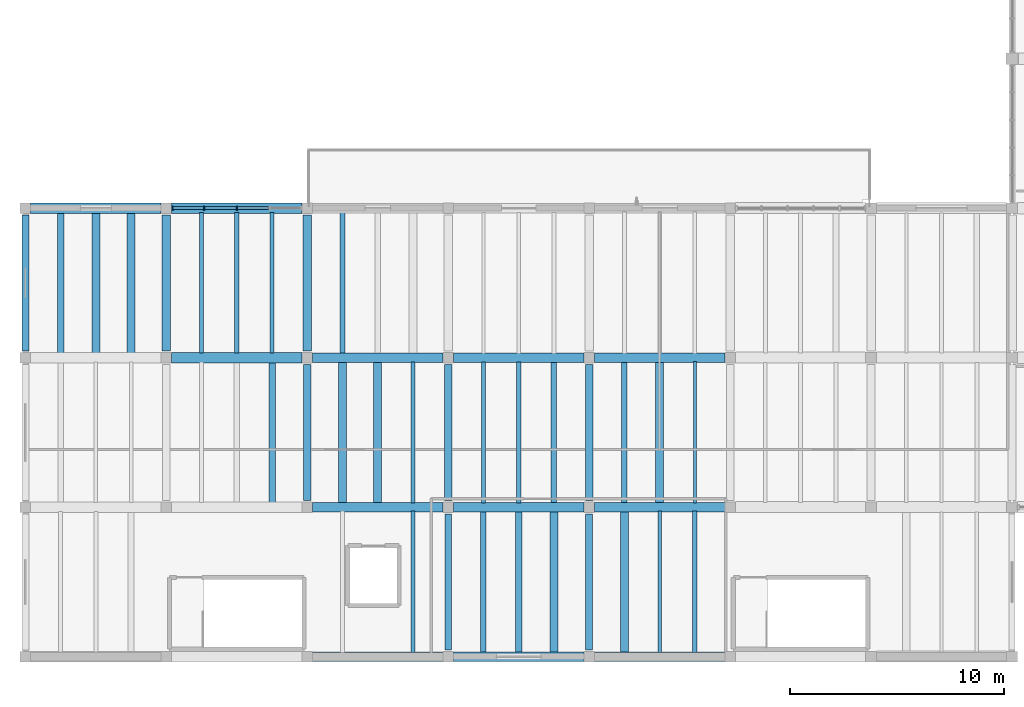
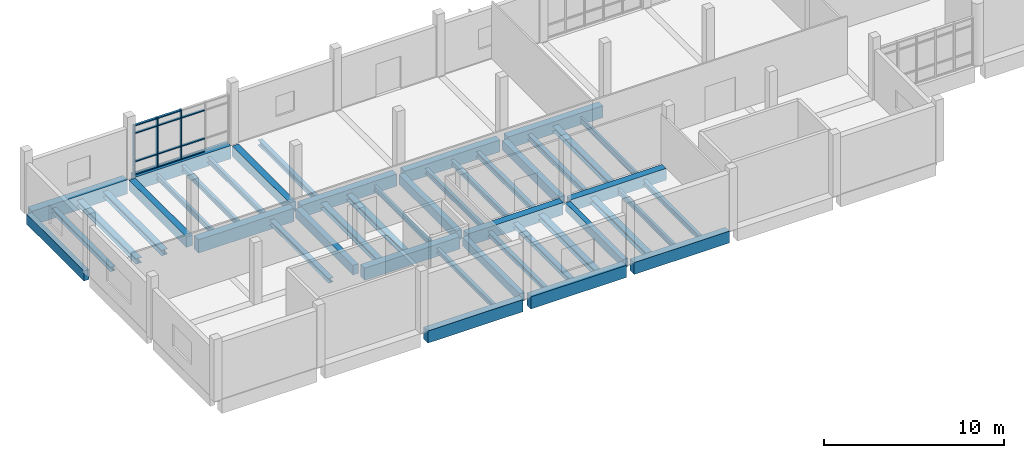
# One storey, part 2 of 65: 44 beams, 14 members, 1 element without a shape of its own.
"""IFC4 building model written with IfcOpenShell, lengths in metres."""

from ifc_helpers import new_model, si_unit, direction, frame, origin, origin_2d, place, context, subcontext, project, spatial, rectangle, i_section, extrude, material, material_profile, profile_set, type_object, element, aggregate, save


model = new_model("IFC4")

# Units and contexts
model_context = context("Model", 3, precision=1e-05, world=origin(), true_north=direction((0.0, 1.0)))
body_context = subcontext(model_context, "Body", "Model", "MODEL_VIEW")
ifc_project = project(units=[si_unit("LENGTHUNIT", "METRE"), si_unit("AREAUNIT", "SQUARE_METRE"), si_unit("VOLUMEUNIT", "CUBIC_METRE"), si_unit("PLANEANGLEUNIT", "RADIAN"), si_unit("MASSUNIT", "GRAM", prefix="KILO")], contexts=[model_context])

# Site, building, storey
site_placement = place(None, origin())
site = spatial("IfcSite", under=ifc_project, at=site_placement, CompositionType="ELEMENT")
building_placement = place(site_placement, origin())
building = spatial("IfcBuilding", under=site, at=building_placement, Name="Ciguamira Faculty of Natural Sciences", CompositionType="ELEMENT")
storey_placement = place(building_placement, frame((0.0, 0.0, 12.60009765625)))
storey = spatial("IfcBuildingStorey", under=building, at=storey_placement, Name="L03", CompositionType="ELEMENT", Elevation=12.60009765625)

# Curtain wall, members
ifc_material_1 = material(Name="Anodized aluminium curtain wall", Category="aluminium")
curtain_wall_type = type_object("IfcCurtainWallType", Name="CurtainWall_CW-11", PredefinedType="USERDEFINED", material=ifc_material_1)
curtain_wall_placement = place(storey_placement, origin())
curtain_wall = element("IfcCurtainWall", 1, at=curtain_wall_placement, inside=storey, type_object=curtain_wall_type, Name="L03 unitised curtain wall 0083", ObjectType="UNITISED CURTAIN WALL", PredefinedType="USERDEFINED")
ifc_material_2 = material(Name="Anodized aluminium mullion", Category="aluminium")
ifc_material_profile_1 = material_profile(ifc_material_2, rectangle(XDim=0.070068359375, YDim=0.179931640625, at=origin_2d()), Name="ALU-MUL-70X180")
ifc_profile_set_1 = profile_set([ifc_material_profile_1], Name="Anodized aluminium mullion")
member_type_1 = type_object("IfcMemberType", Name="CWMullion_CWM-02", PredefinedType="MULLION", material=ifc_profile_set_1)
member_1_placement = place(storey_placement, frame((11.385009765625, 24.0, 0.0), z_axis=(0.0, 0.0, 1.0), x_axis=(1.0, 0.0, 0.0)))
member_1 = element("IfcMember", 2, at=member_1_placement, type_object=member_type_1, Name="CW-11 mullion 1", PredefinedType="MULLION", context=body_context, shape_type="SweptSolid", body=[
    extrude(rectangle(XDim=0.070068359375, YDim=0.179931640625, at=origin_2d()), origin(), (0.0, 0.0, 1.0), 3.364990234375),
])
member_2_placement = place(storey_placement, frame((12.875, 24.0, 0.0), z_axis=(0.0, 0.0, 1.0), x_axis=(1.0, 0.0, 0.0)))
member_2 = element("IfcMember", 3, at=member_2_placement, type_object=member_type_1, Name="CW-11 mullion 2", PredefinedType="MULLION", context=body_context, shape_type="SweptSolid", body=[
    extrude(rectangle(XDim=0.070068359375, YDim=0.179931640625, at=origin_2d()), origin(), (0.0, 0.0, 1.0), 3.364990234375),
])
member_3_placement = place(storey_placement, frame((14.39990234375, 24.0, 0.0), z_axis=(0.0, 0.0, 1.0), x_axis=(1.0, 0.0, 0.0)))
member_3 = element("IfcMember", 4, at=member_3_placement, type_object=member_type_1, Name="CW-11 mullion 3", PredefinedType="MULLION", context=body_context, shape_type="SweptSolid", body=[
    extrude(rectangle(XDim=0.070068359375, YDim=0.179931640625, at=origin_2d()), origin(), (0.0, 0.0, 1.0), 3.364990234375),
])
ifc_material_3 = material(Name="Anodized aluminium transom", Category="aluminium")
ifc_material_profile_2 = material_profile(ifc_material_3, rectangle(XDim=0.070068359375, YDim=0.139892578125, at=origin_2d()), Name="ALU-TRN-70X140")
ifc_profile_set_2 = profile_set([ifc_material_profile_2], Name="Anodized aluminium transom")
member_type_2 = type_object("IfcMemberType", Name="CWTransom_CWT-02", PredefinedType="USERDEFINED", material=ifc_profile_set_2)
member_4_placement = place(storey_placement, frame((11.419921875, 24.0, 0.034912109375), z_axis=(1.0, 0.0, 0.0), x_axis=(0.0, 0.0, 1.0)))
member_4 = element("IfcMember", 5, at=member_4_placement, type_object=member_type_2, Name="CW-11 transom 1.1", ObjectType="TRANSOM", PredefinedType="USERDEFINED", context=body_context, shape_type="SweptSolid", body=[
    extrude(rectangle(XDim=0.070068359375, YDim=0.139892578125, at=origin_2d()), origin(), (0.0, 0.0, 1.0), 1.420166015625),
])
member_5_placement = place(storey_placement, frame((11.419921875, 24.0, 0.89990234375), z_axis=(1.0, 0.0, 0.0), x_axis=(0.0, 0.0, 1.0)))
member_5 = element("IfcMember", 6, at=member_5_placement, type_object=member_type_2, Name="CW-11 transom 1.2", ObjectType="TRANSOM", PredefinedType="USERDEFINED", context=body_context, shape_type="SweptSolid", body=[
    extrude(rectangle(XDim=0.070068359375, YDim=0.139892578125, at=origin_2d()), origin(), (0.0, 0.0, 1.0), 1.420166015625),
])
member_6_placement = place(storey_placement, frame((11.419921875, 24.0, 2.81494140625), z_axis=(1.0, 0.0, 0.0), x_axis=(0.0, 0.0, 1.0)))
member_6 = element("IfcMember", 7, at=member_6_placement, type_object=member_type_2, Name="CW-11 transom 1.3", ObjectType="TRANSOM", PredefinedType="USERDEFINED", context=body_context, shape_type="SweptSolid", body=[
    extrude(rectangle(XDim=0.070068359375, YDim=0.139892578125, at=origin_2d()), origin(), (0.0, 0.0, 1.0), 1.420166015625),
])
member_7_placement = place(storey_placement, frame((11.419921875, 24.0, 3.329833984375), z_axis=(1.0, 0.0, 0.0), x_axis=(0.0, 0.0, 1.0)))
member_7 = element("IfcMember", 8, at=member_7_placement, type_object=member_type_2, Name="CW-11 transom 1.4", ObjectType="TRANSOM", PredefinedType="USERDEFINED", context=body_context, shape_type="SweptSolid", body=[
    extrude(rectangle(XDim=0.070068359375, YDim=0.139892578125, at=origin_2d()), origin(), (0.0, 0.0, 1.0), 1.420166015625),
])
member_8_placement = place(storey_placement, frame((12.909912109375, 24.0, 0.034912109375), z_axis=(1.0, 0.0, 0.0), x_axis=(0.0, 0.0, 1.0)))
member_8 = element("IfcMember", 9, at=member_8_placement, type_object=member_type_2, Name="CW-11 transom 2.1", ObjectType="TRANSOM", PredefinedType="USERDEFINED", context=body_context, shape_type="SweptSolid", body=[
    extrude(rectangle(XDim=0.070068359375, YDim=0.139892578125, at=origin_2d()), origin(), (0.0, 0.0, 1.0), 1.455078125),
])
member_9_placement = place(storey_placement, frame((12.909912109375, 24.0, 0.89990234375), z_axis=(1.0, 0.0, 0.0), x_axis=(0.0, 0.0, 1.0)))
member_9 = element("IfcMember", 10, at=member_9_placement, type_object=member_type_2, Name="CW-11 transom 2.2", ObjectType="TRANSOM", PredefinedType="USERDEFINED", context=body_context, shape_type="SweptSolid", body=[
    extrude(rectangle(XDim=0.070068359375, YDim=0.139892578125, at=origin_2d()), origin(), (0.0, 0.0, 1.0), 1.455078125),
])
member_10_placement = place(storey_placement, frame((12.909912109375, 24.0, 2.81494140625), z_axis=(1.0, 0.0, 0.0), x_axis=(0.0, 0.0, 1.0)))
member_10 = element("IfcMember", 11, at=member_10_placement, type_object=member_type_2, Name="CW-11 transom 2.3", ObjectType="TRANSOM", PredefinedType="USERDEFINED", context=body_context, shape_type="SweptSolid", body=[
    extrude(rectangle(XDim=0.070068359375, YDim=0.139892578125, at=origin_2d()), origin(), (0.0, 0.0, 1.0), 1.455078125),
])
member_11_placement = place(storey_placement, frame((12.909912109375, 24.0, 3.329833984375), z_axis=(1.0, 0.0, 0.0), x_axis=(0.0, 0.0, 1.0)))
member_11 = element("IfcMember", 12, at=member_11_placement, type_object=member_type_2, Name="CW-11 transom 2.4", ObjectType="TRANSOM", PredefinedType="USERDEFINED", context=body_context, shape_type="SweptSolid", body=[
    extrude(rectangle(XDim=0.070068359375, YDim=0.139892578125, at=origin_2d()), origin(), (0.0, 0.0, 1.0), 1.455078125),
])
member_12_placement = place(storey_placement, frame((14.43505859375, 24.0, 0.034912109375), z_axis=(1.0, 0.0, 0.0), x_axis=(0.0, 0.0, 1.0)))
member_12 = element("IfcMember", 13, at=member_12_placement, type_object=member_type_2, Name="CW-11 transom 3.1", ObjectType="TRANSOM", PredefinedType="USERDEFINED", context=body_context, shape_type="SweptSolid", body=[
    extrude(rectangle(XDim=0.070068359375, YDim=0.139892578125, at=origin_2d()), origin(), (0.0, 0.0, 1.0), 1.454833984375),
])
member_13_placement = place(storey_placement, frame((14.43505859375, 24.0, 0.89990234375), z_axis=(1.0, 0.0, 0.0), x_axis=(0.0, 0.0, 1.0)))
member_13 = element("IfcMember", 14, at=member_13_placement, type_object=member_type_2, Name="CW-11 transom 3.2", ObjectType="TRANSOM", PredefinedType="USERDEFINED", context=body_context, shape_type="SweptSolid", body=[
    extrude(rectangle(XDim=0.070068359375, YDim=0.139892578125, at=origin_2d()), origin(), (0.0, 0.0, 1.0), 1.454833984375),
])
member_14_placement = place(storey_placement, frame((14.43505859375, 24.0, 2.81494140625), z_axis=(1.0, 0.0, 0.0), x_axis=(0.0, 0.0, 1.0)))
member_14 = element("IfcMember", 15, at=member_14_placement, type_object=member_type_2, Name="CW-11 transom 3.3", ObjectType="TRANSOM", PredefinedType="USERDEFINED", context=body_context, shape_type="SweptSolid", body=[
    extrude(rectangle(XDim=0.070068359375, YDim=0.139892578125, at=origin_2d()), origin(), (0.0, 0.0, 1.0), 1.454833984375),
])
aggregate(curtain_wall, [member_1, member_2, member_3, member_4, member_5, member_6, member_7, member_8, member_9, member_10, member_11, member_12, member_13, member_14])

# Beams
ifc_material_4 = material(Name="Concrete C40/50", Category="concrete")
ifc_material_profile_3 = material_profile(ifc_material_4, rectangle(XDim=0.5, YDim=0.949951171875, at=origin_2d()), Name="RC-BM-500X950")
ifc_profile_set_3 = profile_set([ifc_material_profile_3], Name="Concrete C40/50")
beam_type_1 = type_object("IfcBeamType", Name="RCBeam_BG-02_RC-BM-500X950", PredefinedType="BEAM", material=ifc_profile_set_3)
beam_1_placement = place(storey_placement, frame((4.75, 24.0, -0.47509765625), z_axis=(1.0, 0.0, 0.0), x_axis=(0.0, 1.0, 0.0)))
element("IfcBeam", 16, at=beam_1_placement, inside=storey, type_object=beam_type_1, Name="L03 RC girder EW-1056", PredefinedType="BEAM", context=body_context, shape_type="SweptSolid", body=[
    extrude(rectangle(XDim=0.5, YDim=0.949951171875, at=origin_2d()), origin(), (0.0, 0.0, 1.0), 6.10009765625),
])
ifc_material_profile_4 = material_profile(ifc_material_4, rectangle(XDim=0.5, YDim=0.89990234375, at=origin_2d()), Name="RC-BM-500X900")
ifc_profile_set_4 = profile_set([ifc_material_profile_4], Name="Concrete C40/50")
beam_type_2 = type_object("IfcBeamType", Name="RCBeam_BG-03_RC-BM-500X900", PredefinedType="BEAM", material=ifc_profile_set_4)
for number, where, z_axis, x_axis, name in (
    (17, (11.35009765625, 17.0, -0.4501953125), (1.0, 0.0, 0.0), (0.0, 1.0, 0.0), "L03 RC girder EW-1039"),
    (18, (11.35009765625, 24.0, -0.4501953125), (1.0, 0.0, 0.0), (0.0, 1.0, 0.0), "L03 RC girder EW-1057"),
):
    element("IfcBeam", number, at=place(storey_placement, frame(where, z_axis=z_axis, x_axis=x_axis)), inside=storey, type_object=beam_type_2, Name=name, PredefinedType="BEAM", context=body_context, shape_type="SweptSolid", body=[
        extrude(rectangle(XDim=0.5, YDim=0.89990234375, at=origin_2d()), origin(), (0.0, 0.0, 1.0), 6.099853515625),
    ])
ifc_material_profile_5 = material_profile(ifc_material_4, rectangle(XDim=0.4599609375, YDim=0.820068359375, at=origin_2d()), Name="RC-BM-460X820")
ifc_profile_set_5 = profile_set([ifc_material_profile_5], Name="Concrete C40/50")
beam_type_3 = type_object("IfcBeamType", Name="RCBeam_BG-04_RC-BM-460X820", PredefinedType="BEAM", material=ifc_profile_set_5)
beam_2_placement = place(storey_placement, frame((17.949951171875, 3.0, -0.41015625), z_axis=(1.0, 0.0, 0.0), x_axis=(0.0, 1.0, 0.0)))
element("IfcBeam", 19, at=beam_2_placement, inside=storey, type_object=beam_type_3, Name="L03 RC girder EW-1015", PredefinedType="BEAM", context=body_context, shape_type="SweptSolid", body=[
    extrude(rectangle(XDim=0.4599609375, YDim=0.820068359375, at=origin_2d()), origin(), (0.0, 0.0, 1.0), 6.10009765625),
])
beam_3_placement = place(storey_placement, frame((24.550048828125, 3.0, -0.41015625), z_axis=(1.0, 0.0, 0.0), x_axis=(0.0, 1.0, 0.0)))
element("IfcBeam", 20, at=beam_3_placement, inside=storey, type_object=beam_type_3, Name="L03 RC girder EW-1016", PredefinedType="BEAM", context=body_context, shape_type="SweptSolid", body=[
    extrude(rectangle(XDim=0.4599609375, YDim=0.820068359375, at=origin_2d()), origin(), (0.0, 0.0, 1.0), 6.099853515625),
])
beam_4_placement = place(storey_placement, frame((17.949951171875, 10.0, -0.41015625), z_axis=(1.0, 0.0, 0.0), x_axis=(0.0, 1.0, 0.0)))
element("IfcBeam", 21, at=beam_4_placement, inside=storey, type_object=beam_type_3, Name="L03 RC girder EW-1022", PredefinedType="BEAM", context=body_context, shape_type="SweptSolid", body=[
    extrude(rectangle(XDim=0.4599609375, YDim=0.820068359375, at=origin_2d()), origin(), (0.0, 0.0, 1.0), 6.10009765625),
])
beam_5_placement = place(storey_placement, frame((24.550048828125, 10.0, -0.41015625), z_axis=(1.0, 0.0, 0.0), x_axis=(0.0, 1.0, 0.0)))
element("IfcBeam", 22, at=beam_5_placement, inside=storey, type_object=beam_type_3, Name="L03 RC girder EW-1023", PredefinedType="BEAM", context=body_context, shape_type="SweptSolid", body=[
    extrude(rectangle(XDim=0.4599609375, YDim=0.820068359375, at=origin_2d()), origin(), (0.0, 0.0, 1.0), 6.099853515625),
])
beam_6_placement = place(storey_placement, frame((17.949951171875, 17.0, -0.41015625), z_axis=(1.0, 0.0, 0.0), x_axis=(0.0, 1.0, 0.0)))
element("IfcBeam", 23, at=beam_6_placement, inside=storey, type_object=beam_type_3, Name="L03 RC girder EW-1040", PredefinedType="BEAM", context=body_context, shape_type="SweptSolid", body=[
    extrude(rectangle(XDim=0.4599609375, YDim=0.820068359375, at=origin_2d()), origin(), (0.0, 0.0, 1.0), 6.10009765625),
])
beam_7_placement = place(storey_placement, frame((24.550048828125, 17.0, -0.41015625), z_axis=(1.0, 0.0, 0.0), x_axis=(0.0, 1.0, 0.0)))
element("IfcBeam", 24, at=beam_7_placement, inside=storey, type_object=beam_type_3, Name="L03 RC girder EW-1041", PredefinedType="BEAM", context=body_context, shape_type="SweptSolid", body=[
    extrude(rectangle(XDim=0.4599609375, YDim=0.820068359375, at=origin_2d()), origin(), (0.0, 0.0, 1.0), 6.099853515625),
])
ifc_material_profile_6 = material_profile(ifc_material_4, rectangle(XDim=0.449951171875, YDim=0.800048828125, at=origin_2d()), Name="RC-BM-450X800")
ifc_profile_set_6 = profile_set([ifc_material_profile_6], Name="Concrete C40/50")
beam_type_4 = type_object("IfcBeamType", Name="RCBeam_BG-05_RC-BM-450X800", PredefinedType="BEAM", material=ifc_profile_set_6)
for number, where, z_axis, x_axis, name in (
    (25, (31.14990234375, 3.0, -0.400146484375), (1.0, 0.0, 0.0), (0.0, 1.0, 0.0), "L03 RC girder EW-1017"),
    (26, (31.14990234375, 10.0, -0.400146484375), (1.0, 0.0, 0.0), (0.0, 1.0, 0.0), "L03 RC girder EW-1024"),
    (27, (31.14990234375, 17.0, -0.400146484375), (1.0, 0.0, 0.0), (0.0, 1.0, 0.0), "L03 RC girder EW-1042"),
):
    element("IfcBeam", number, at=place(storey_placement, frame(where, z_axis=z_axis, x_axis=x_axis)), inside=storey, type_object=beam_type_4, Name=name, PredefinedType="BEAM", context=body_context, shape_type="SweptSolid", body=[
        extrude(rectangle(XDim=0.449951171875, YDim=0.800048828125, at=origin_2d()), origin(), (0.0, 0.0, 1.0), 6.10009765625),
    ])
ifc_material_profile_7 = material_profile(ifc_material_4, rectangle(XDim=0.39990234375, YDim=0.699951171875, at=origin_2d()), Name="RC-BM-400X700")
ifc_profile_set_7 = profile_set([ifc_material_profile_7], Name="Concrete C40/50")
beam_type_5 = type_object("IfcBeamType", Name="RCBeam_BG-08_RC-BM-400X700", PredefinedType="BEAM", material=ifc_profile_set_7)
for number, where, z_axis, x_axis, name in (
    (28, (11.10009765625, 17.324951171875, -0.35009765625), (0.0, 1.0, 0.0), (-1.0, 0.0, 0.0), "L03 girder NS-1187"),
    (29, (17.699951171875, 17.324951171875, -0.35009765625), (0.0, 1.0, 0.0), (-1.0, 0.0, 0.0), "L03 girder NS-1189"),
):
    element("IfcBeam", number, at=place(storey_placement, frame(where, z_axis=z_axis, x_axis=x_axis)), inside=storey, type_object=beam_type_5, Name=name, PredefinedType="BEAM", context=body_context, shape_type="SweptSolid", body=[
        extrude(rectangle(XDim=0.39990234375, YDim=0.699951171875, at=origin_2d()), origin(), (0.0, 0.0, 1.0), 6.35009765625),
    ])
ifc_material_profile_8 = material_profile(ifc_material_4, rectangle(XDim=0.360107421875, YDim=0.639892578125, at=origin_2d()), Name="RC-BM-360X640")
ifc_profile_set_8 = profile_set([ifc_material_profile_8], Name="Concrete C40/50")
beam_type_6 = type_object("IfcBeamType", Name="RCBeam_BG-10_RC-BM-360X640", PredefinedType="BEAM", material=ifc_profile_set_8)
for number, where, z_axis, x_axis, name in (
    (30, (17.699951171875, 10.324951171875, -0.320068359375), (0.0, 1.0, 0.0), (-1.0, 0.0, 0.0), "L03 girder NS-1188"),
    (31, (24.300048828125, 10.324951171875, -0.320068359375), (0.0, 1.0, 0.0), (-1.0, 0.0, 0.0), "L03 girder NS-1191"),
    (32, (30.89990234375, 10.324951171875, -0.320068359375), (0.0, 1.0, 0.0), (-1.0, 0.0, 0.0), "L03 girder NS-1194"),
):
    element("IfcBeam", number, at=place(storey_placement, frame(where, z_axis=z_axis, x_axis=x_axis)), inside=storey, type_object=beam_type_6, Name=name, PredefinedType="BEAM", context=body_context, shape_type="SweptSolid", body=[
        extrude(rectangle(XDim=0.360107421875, YDim=0.639892578125, at=origin_2d()), origin(), (0.0, 0.0, 1.0), 6.35009765625),
    ])
ifc_material_profile_9 = material_profile(ifc_material_4, rectangle(XDim=0.320068359375, YDim=0.56005859375, at=origin_2d()), Name="RC-BM-320X560")
ifc_profile_set_9 = profile_set([ifc_material_profile_9], Name="Concrete C40/50")
beam_type_7 = type_object("IfcBeamType", Name="RCBeam_BG-12_RC-BM-320X560", PredefinedType="BEAM", material=ifc_profile_set_9)
for number, where, z_axis, x_axis, name in (
    (33, (24.300048828125, 3.324951171875, -0.280029296875), (0.0, 1.0, 0.0), (-1.0, 0.0, 0.0), "L03 girder NS-1190"),
    (34, (30.89990234375, 3.324951171875, -0.280029296875), (0.0, 1.0, 0.0), (-1.0, 0.0, 0.0), "L03 girder NS-1193"),
):
    element("IfcBeam", number, at=place(storey_placement, frame(where, z_axis=z_axis, x_axis=x_axis)), inside=storey, type_object=beam_type_7, Name=name, PredefinedType="BEAM", context=body_context, shape_type="SweptSolid", body=[
        extrude(rectangle(XDim=0.320068359375, YDim=0.56005859375, at=origin_2d()), origin(), (0.0, 0.0, 1.0), 6.35009765625),
    ])
ifc_material_5 = material(Name="Precast concrete C40/50", Category="concrete")
ifc_material_profile_10 = material_profile(ifc_material_5, rectangle(XDim=0.320068359375, YDim=0.679931640625, at=origin_2d()), Name="RC-SP-320X680")
ifc_profile_set_10 = profile_set([ifc_material_profile_10], Name="Precast concrete C40/50")
beam_type_8 = type_object("IfcBeamType", Name="RCBeam_SP-02_RC-SP-320X680", PredefinedType="SPANDREL", material=ifc_profile_set_10)
beam_8_placement = place(storey_placement, frame((4.5, 17.324951171875, -0.340087890625), z_axis=(0.0, 1.0, 0.0), x_axis=(-1.0, 0.0, 0.0)))
element("IfcBeam", 35, at=beam_8_placement, inside=storey, type_object=beam_type_8, Name="L03 girder NS-1185", PredefinedType="SPANDREL", context=body_context, shape_type="SweptSolid", body=[
    extrude(rectangle(XDim=0.320068359375, YDim=0.679931640625, at=origin_2d()), origin(), (0.0, 0.0, 1.0), 6.35009765625),
])
ifc_material_6 = material(Name="Steel ASTM A992 Grade 50", Category="steel")
ifc_material_profile_11 = material_profile(ifc_material_6, i_section(OverallWidth=0.20458984375, OverallDepth=0.307373046875, WebThickness=0.008544921875, FlangeThickness=0.0146484375, at=origin_2d()), Name="W12X45")
ifc_profile_set_11 = profile_set([ifc_material_profile_11], Name="Steel ASTM A992 Grade 50")
beam_type_9 = type_object("IfcBeamType", Name="SteelJoist_SJ-06_W12X45", PredefinedType="JOIST", material=ifc_profile_set_11)
beam_9_placement = place(storey_placement, frame((22.64990234375, 3.18994140625, -0.413818359375), z_axis=(0.0, 1.0, 0.0), x_axis=(-1.0, 0.0, 0.0)))
element("IfcBeam", 36, at=beam_9_placement, inside=storey, type_object=beam_type_9, Name="L03 composite steel joist 00973", PredefinedType="JOIST", context=body_context, shape_type="SweptSolid", body=[
    extrude(i_section(OverallWidth=0.20458984375, OverallDepth=0.307373046875, WebThickness=0.008544921875, FlangeThickness=0.0146484375, at=origin_2d()), origin(), (0.0, 0.0, 1.0), 6.6201171875),
])
ifc_material_profile_12 = material_profile(ifc_material_6, i_section(OverallWidth=0.25390625, OverallDepth=0.307373046875, WebThickness=0.0087890625, FlangeThickness=0.0146484375, at=origin_2d()), Name="W12X53")
ifc_profile_set_12 = profile_set([ifc_material_profile_12], Name="Steel ASTM A992 Grade 50")
beam_type_10 = type_object("IfcBeamType", Name="SteelJoist_SJ-07_W12X53", PredefinedType="JOIST", material=ifc_profile_set_12)
beam_10_placement = place(storey_placement, frame((25.949951171875, 3.18994140625, -0.413818359375), z_axis=(0.0, 1.0, 0.0), x_axis=(-1.0, 0.0, 0.0)))
element("IfcBeam", 37, at=beam_10_placement, inside=storey, type_object=beam_type_10, Name="L03 composite steel joist 00980", PredefinedType="JOIST", context=body_context, shape_type="SweptSolid", body=[
    extrude(i_section(OverallWidth=0.25390625, OverallDepth=0.307373046875, WebThickness=0.0087890625, FlangeThickness=0.0146484375, at=origin_2d()), origin(), (0.0, 0.0, 1.0), 6.6201171875),
])
ifc_material_profile_13 = material_profile(ifc_material_6, i_section(OverallWidth=0.3046875, OverallDepth=0.307373046875, WebThickness=0.010009765625, FlangeThickness=0.015380859375, at=origin_2d()), Name="W12X65")
ifc_profile_set_13 = profile_set([ifc_material_profile_13], Name="Steel ASTM A992 Grade 50")
beam_type_11 = type_object("IfcBeamType", Name="SteelJoist_SJ-08_W12X65", PredefinedType="JOIST", material=ifc_profile_set_13)
for number, where, z_axis, x_axis, name in (
    (38, (6.14990234375, 17.2099609375, -0.413818359375), (0.0, 1.0, 0.0), (-1.0, 0.0, 0.0), "L03 composite steel joist 00963"),
    (39, (16.050048828125, 10.2099609375, -0.413818359375), (0.0, 1.0, 0.0), (-1.0, 0.0, 0.0), "L03 composite steel joist 00968"),
):
    element("IfcBeam", number, at=place(storey_placement, frame(where, z_axis=z_axis, x_axis=x_axis)), inside=storey, type_object=beam_type_11, Name=name, PredefinedType="JOIST", context=body_context, shape_type="SweptSolid", body=[
        extrude(i_section(OverallWidth=0.3046875, OverallDepth=0.307373046875, WebThickness=0.010009765625, FlangeThickness=0.015380859375, at=origin_2d()), origin(), (0.0, 0.0, 1.0), 6.580078125),
    ])
beam_11_placement = place(storey_placement, frame((27.60009765625, 3.18994140625, -0.413818359375), z_axis=(0.0, 1.0, 0.0), x_axis=(-1.0, 0.0, 0.0)))
element("IfcBeam", 40, at=beam_11_placement, inside=storey, type_object=beam_type_11, Name="L03 composite steel joist 00981", PredefinedType="JOIST", context=body_context, shape_type="SweptSolid", body=[
    extrude(i_section(OverallWidth=0.3046875, OverallDepth=0.307373046875, WebThickness=0.010009765625, FlangeThickness=0.015380859375, at=origin_2d()), origin(), (0.0, 0.0, 1.0), 6.6201171875),
])
ifc_material_profile_14 = material_profile(ifc_material_6, i_section(OverallWidth=0.370849609375, OverallDepth=0.36328125, WebThickness=0.013427734375, FlangeThickness=0.021728515625, at=origin_2d()), Name="W14X109")
ifc_profile_set_14 = profile_set([ifc_material_profile_14], Name="Steel ASTM A992 Grade 50")
beam_type_12 = type_object("IfcBeamType", Name="SteelJoist_SJ-09_W14X109", PredefinedType="JOIST", material=ifc_profile_set_14)
beam_12_placement = place(storey_placement, frame((7.800048828125, 17.2099609375, -0.441650390625), z_axis=(0.0, 1.0, 0.0), x_axis=(-1.0, 0.0, 0.0)))
element("IfcBeam", 41, at=beam_12_placement, inside=storey, type_object=beam_type_12, Name="L03 composite steel joist 00964", PredefinedType="JOIST", context=body_context, shape_type="SweptSolid", body=[
    extrude(i_section(OverallWidth=0.370849609375, OverallDepth=0.36328125, WebThickness=0.013427734375, FlangeThickness=0.021728515625, at=origin_2d()), origin(), (0.0, 0.0, 1.0), 6.580078125),
])
for number, where, z_axis, x_axis, name in (
    (42, (19.35009765625, 10.18994140625, -0.441650390625), (0.0, 1.0, 0.0), (-1.0, 0.0, 0.0), "L03 composite steel joist 00974"),
    (43, (29.25, 3.18994140625, -0.441650390625), (0.0, 1.0, 0.0), (-1.0, 0.0, 0.0), "L03 composite steel joist 00982"),
):
    element("IfcBeam", number, at=place(storey_placement, frame(where, z_axis=z_axis, x_axis=x_axis)), inside=storey, type_object=beam_type_12, Name=name, PredefinedType="JOIST", context=body_context, shape_type="SweptSolid", body=[
        extrude(i_section(OverallWidth=0.370849609375, OverallDepth=0.36328125, WebThickness=0.013427734375, FlangeThickness=0.021728515625, at=origin_2d()), origin(), (0.0, 0.0, 1.0), 6.6201171875),
    ])
ifc_material_profile_15 = material_profile(ifc_material_6, i_section(OverallWidth=0.373291015625, OverallDepth=0.373291015625, WebThickness=0.016357421875, FlangeThickness=0.026123046875, at=origin_2d()), Name="W14X132")
ifc_profile_set_15 = profile_set([ifc_material_profile_15], Name="Steel ASTM A992 Grade 50")
beam_type_13 = type_object("IfcBeamType", Name="SteelJoist_SJ-10_W14X132", PredefinedType="JOIST", material=ifc_profile_set_15)
beam_13_placement = place(storey_placement, frame((9.449951171875, 17.2099609375, -0.44677734375), z_axis=(0.0, 1.0, 0.0), x_axis=(-1.0, 0.0, 0.0)))
element("IfcBeam", 44, at=beam_13_placement, inside=storey, type_object=beam_type_13, Name="L03 composite steel joist 00965", PredefinedType="JOIST", context=body_context, shape_type="SweptSolid", body=[
    extrude(i_section(OverallWidth=0.373291015625, OverallDepth=0.373291015625, WebThickness=0.016357421875, FlangeThickness=0.026123046875, at=origin_2d()), origin(), (0.0, 0.0, 1.0), 6.580078125),
])
beam_14_placement = place(storey_placement, frame((21.0, 10.18994140625, -0.44677734375), z_axis=(0.0, 1.0, 0.0), x_axis=(-1.0, 0.0, 0.0)))
element("IfcBeam", 45, at=beam_14_placement, inside=storey, type_object=beam_type_13, Name="L03 composite steel joist 00975", PredefinedType="JOIST", context=body_context, shape_type="SweptSolid", body=[
    extrude(i_section(OverallWidth=0.373291015625, OverallDepth=0.373291015625, WebThickness=0.016357421875, FlangeThickness=0.026123046875, at=origin_2d()), origin(), (0.0, 0.0, 1.0), 6.6201171875),
])
beam_15_placement = place(storey_placement, frame((32.550048828125, 3.18505859375, -0.44677734375), z_axis=(0.0, 1.0, 0.0), x_axis=(-1.0, 0.0, 0.0)))
element("IfcBeam", 46, at=beam_15_placement, inside=storey, type_object=beam_type_13, Name="L03 composite steel joist 00989", PredefinedType="JOIST", context=body_context, shape_type="SweptSolid", body=[
    extrude(i_section(OverallWidth=0.373291015625, OverallDepth=0.373291015625, WebThickness=0.016357421875, FlangeThickness=0.026123046875, at=origin_2d()), origin(), (0.0, 0.0, 1.0), 6.6298828125),
])
ifc_material_profile_16 = material_profile(ifc_material_6, i_section(OverallWidth=0.1708984375, OverallDepth=0.3505859375, WebThickness=0.0068359375, FlangeThickness=0.009765625, at=origin_2d()), Name="W14X30")
ifc_profile_set_16 = profile_set([ifc_material_profile_16], Name="Steel ASTM A992 Grade 50")
beam_type_14 = type_object("IfcBeamType", Name="SteelJoist_SJ-11_W14X30", PredefinedType="JOIST", material=ifc_profile_set_16)
beam_16_placement = place(storey_placement, frame((12.75, 17.2099609375, -0.435302734375), z_axis=(0.0, 1.0, 0.0), x_axis=(-1.0, 0.0, 0.0)))
element("IfcBeam", 47, at=beam_16_placement, inside=storey, type_object=beam_type_14, Name="L03 composite steel joist 00969", PredefinedType="JOIST", context=body_context, shape_type="SweptSolid", body=[
    extrude(i_section(OverallWidth=0.1708984375, OverallDepth=0.3505859375, WebThickness=0.0068359375, FlangeThickness=0.009765625, at=origin_2d()), origin(), (0.0, 0.0, 1.0), 6.580078125),
])
beam_17_placement = place(storey_placement, frame((22.64990234375, 10.18994140625, -0.435302734375), z_axis=(0.0, 1.0, 0.0), x_axis=(-1.0, 0.0, 0.0)))
element("IfcBeam", 48, at=beam_17_placement, inside=storey, type_object=beam_type_14, Name="L03 composite steel joist 00976", PredefinedType="JOIST", context=body_context, shape_type="SweptSolid", body=[
    extrude(i_section(OverallWidth=0.1708984375, OverallDepth=0.3505859375, WebThickness=0.0068359375, FlangeThickness=0.009765625, at=origin_2d()), origin(), (0.0, 0.0, 1.0), 6.6201171875),
])
beam_18_placement = place(storey_placement, frame((34.199951171875, 3.18505859375, -0.435302734375), z_axis=(0.0, 1.0, 0.0), x_axis=(-1.0, 0.0, 0.0)))
element("IfcBeam", 49, at=beam_18_placement, inside=storey, type_object=beam_type_14, Name="L03 composite steel joist 00990", PredefinedType="JOIST", context=body_context, shape_type="SweptSolid", body=[
    extrude(i_section(OverallWidth=0.1708984375, OverallDepth=0.3505859375, WebThickness=0.0068359375, FlangeThickness=0.009765625, at=origin_2d()), origin(), (0.0, 0.0, 1.0), 6.6298828125),
])
ifc_material_profile_17 = material_profile(ifc_material_6, i_section(OverallWidth=0.203125, OverallDepth=0.347900390625, WebThickness=0.0078125, FlangeThickness=0.013427734375, at=origin_2d()), Name="W14X43")
ifc_profile_set_17 = profile_set([ifc_material_profile_17], Name="Steel ASTM A992 Grade 50")
beam_type_15 = type_object("IfcBeamType", Name="SteelJoist_SJ-12_W14X43", PredefinedType="JOIST", material=ifc_profile_set_17)
beam_19_placement = place(storey_placement, frame((14.39990234375, 17.2099609375, -0.43408203125), z_axis=(0.0, 1.0, 0.0), x_axis=(-1.0, 0.0, 0.0)))
element("IfcBeam", 50, at=beam_19_placement, inside=storey, type_object=beam_type_15, Name="L03 composite steel joist 00970", PredefinedType="JOIST", context=body_context, shape_type="SweptSolid", body=[
    extrude(i_section(OverallWidth=0.203125, OverallDepth=0.347900390625, WebThickness=0.0078125, FlangeThickness=0.013427734375, at=origin_2d()), origin(), (0.0, 0.0, 1.0), 6.580078125),
])
beam_20_placement = place(storey_placement, frame((25.949951171875, 10.18994140625, -0.43408203125), z_axis=(0.0, 1.0, 0.0), x_axis=(-1.0, 0.0, 0.0)))
element("IfcBeam", 51, at=beam_20_placement, inside=storey, type_object=beam_type_15, Name="L03 composite steel joist 00983", PredefinedType="JOIST", context=body_context, shape_type="SweptSolid", body=[
    extrude(i_section(OverallWidth=0.203125, OverallDepth=0.347900390625, WebThickness=0.0078125, FlangeThickness=0.013427734375, at=origin_2d()), origin(), (0.0, 0.0, 1.0), 6.6201171875),
])
beam_21_placement = place(storey_placement, frame((35.85009765625, 3.18505859375, -0.43408203125), z_axis=(0.0, 1.0, 0.0), x_axis=(-1.0, 0.0, 0.0)))
element("IfcBeam", 52, at=beam_21_placement, inside=storey, type_object=beam_type_15, Name="L03 composite steel joist 00991", PredefinedType="JOIST", context=body_context, shape_type="SweptSolid", body=[
    extrude(i_section(OverallWidth=0.203125, OverallDepth=0.347900390625, WebThickness=0.0078125, FlangeThickness=0.013427734375, at=origin_2d()), origin(), (0.0, 0.0, 1.0), 6.6298828125),
])
ifc_material_profile_18 = material_profile(ifc_material_6, i_section(OverallWidth=0.204833984375, OverallDepth=0.35302734375, WebThickness=0.00927734375, FlangeThickness=0.016845703125, at=origin_2d()), Name="W14X53")
ifc_profile_set_18 = profile_set([ifc_material_profile_18], Name="Steel ASTM A992 Grade 50")
beam_type_16 = type_object("IfcBeamType", Name="SteelJoist_SJ-13_W14X53", PredefinedType="JOIST", material=ifc_profile_set_18)
beam_22_placement = place(storey_placement, frame((16.050048828125, 17.2099609375, -0.4365234375), z_axis=(0.0, 1.0, 0.0), x_axis=(-1.0, 0.0, 0.0)))
element("IfcBeam", 53, at=beam_22_placement, inside=storey, type_object=beam_type_16, Name="L03 composite steel joist 00971", PredefinedType="JOIST", context=body_context, shape_type="SweptSolid", body=[
    extrude(i_section(OverallWidth=0.204833984375, OverallDepth=0.35302734375, WebThickness=0.00927734375, FlangeThickness=0.016845703125, at=origin_2d()), origin(), (0.0, 0.0, 1.0), 6.580078125),
])
beam_23_placement = place(storey_placement, frame((27.60009765625, 10.18994140625, -0.4365234375), z_axis=(0.0, 1.0, 0.0), x_axis=(-1.0, 0.0, 0.0)))
element("IfcBeam", 54, at=beam_23_placement, inside=storey, type_object=beam_type_16, Name="L03 composite steel joist 00984", PredefinedType="JOIST", context=body_context, shape_type="SweptSolid", body=[
    extrude(i_section(OverallWidth=0.204833984375, OverallDepth=0.35302734375, WebThickness=0.00927734375, FlangeThickness=0.016845703125, at=origin_2d()), origin(), (0.0, 0.0, 1.0), 6.6201171875),
])
ifc_material_profile_19 = material_profile(ifc_material_6, i_section(OverallWidth=0.25390625, OverallDepth=0.355712890625, WebThickness=0.010498046875, FlangeThickness=0.018310546875, at=origin_2d()), Name="W14X68")
ifc_profile_set_19 = profile_set([ifc_material_profile_19], Name="Steel ASTM A992 Grade 50")
beam_type_17 = type_object("IfcBeamType", Name="SteelJoist_SJ-14_W14X68", PredefinedType="JOIST", material=ifc_profile_set_19)
for number, where, z_axis, x_axis, name in (
    (55, (19.35009765625, 17.18994140625, -0.43798828125), (0.0, 1.0, 0.0), (-1.0, 0.0, 0.0), "L03 composite steel joist 00977"),
    (56, (29.25, 10.18994140625, -0.43798828125), (0.0, 1.0, 0.0), (-1.0, 0.0, 0.0), "L03 composite steel joist 00985"),
):
    element("IfcBeam", number, at=place(storey_placement, frame(where, z_axis=z_axis, x_axis=x_axis)), inside=storey, type_object=beam_type_17, Name=name, PredefinedType="JOIST", context=body_context, shape_type="SweptSolid", body=[
        extrude(i_section(OverallWidth=0.25390625, OverallDepth=0.355712890625, WebThickness=0.010498046875, FlangeThickness=0.018310546875, at=origin_2d()), origin(), (0.0, 0.0, 1.0), 6.6201171875),
    ])
ifc_material_profile_20 = material_profile(ifc_material_6, i_section(OverallWidth=0.256591796875, OverallDepth=0.36328125, WebThickness=0.012939453125, FlangeThickness=0.021728515625, at=origin_2d()), Name="W14X82")
ifc_profile_set_20 = profile_set([ifc_material_profile_20], Name="Steel ASTM A992 Grade 50")
beam_type_18 = type_object("IfcBeamType", Name="SteelJoist_SJ-15_W14X82", PredefinedType="JOIST", material=ifc_profile_set_20)
beam_24_placement = place(storey_placement, frame((32.550048828125, 10.18505859375, -0.441650390625), z_axis=(0.0, 1.0, 0.0), x_axis=(-1.0, 0.0, 0.0)))
element("IfcBeam", 57, at=beam_24_placement, inside=storey, type_object=beam_type_18, Name="L03 composite steel joist 00992", PredefinedType="JOIST", context=body_context, shape_type="SweptSolid", body=[
    extrude(i_section(OverallWidth=0.256591796875, OverallDepth=0.36328125, WebThickness=0.012939453125, FlangeThickness=0.021728515625, at=origin_2d()), origin(), (0.0, 0.0, 1.0), 6.6298828125),
])
ifc_material_profile_21 = material_profile(ifc_material_6, i_section(OverallWidth=0.368408203125, OverallDepth=0.355712890625, WebThickness=0.01123046875, FlangeThickness=0.01806640625, at=origin_2d()), Name="W14X90")
ifc_profile_set_21 = profile_set([ifc_material_profile_21], Name="Steel ASTM A992 Grade 50")
beam_type_19 = type_object("IfcBeamType", Name="SteelJoist_SJ-16_W14X90", PredefinedType="JOIST", material=ifc_profile_set_21)
beam_25_placement = place(storey_placement, frame((34.199951171875, 10.18505859375, -0.43798828125), z_axis=(0.0, 1.0, 0.0), x_axis=(-1.0, 0.0, 0.0)))
element("IfcBeam", 58, at=beam_25_placement, inside=storey, type_object=beam_type_19, Name="L03 composite steel joist 00993", PredefinedType="JOIST", context=body_context, shape_type="SweptSolid", body=[
    extrude(i_section(OverallWidth=0.368408203125, OverallDepth=0.355712890625, WebThickness=0.01123046875, FlangeThickness=0.01806640625, at=origin_2d()), origin(), (0.0, 0.0, 1.0), 6.6298828125),
])
ifc_material_profile_22 = material_profile(ifc_material_6, i_section(OverallWidth=0.140380859375, OverallDepth=0.40380859375, WebThickness=0.007080078125, FlangeThickness=0.01123046875, at=origin_2d()), Name="W16X31")
ifc_profile_set_22 = profile_set([ifc_material_profile_22], Name="Steel ASTM A992 Grade 50")
beam_type_20 = type_object("IfcBeamType", Name="SteelJoist_SJ-17_W16X31", PredefinedType="JOIST", material=ifc_profile_set_22)
beam_26_placement = place(storey_placement, frame((35.85009765625, 10.18505859375, -0.4619140625), z_axis=(0.0, 1.0, 0.0), x_axis=(-1.0, 0.0, 0.0)))
element("IfcBeam", 59, at=beam_26_placement, inside=storey, type_object=beam_type_20, Name="L03 composite steel joist 00994", PredefinedType="JOIST", context=body_context, shape_type="SweptSolid", body=[
    extrude(i_section(OverallWidth=0.140380859375, OverallDepth=0.40380859375, WebThickness=0.007080078125, FlangeThickness=0.01123046875, at=origin_2d()), origin(), (0.0, 0.0, 1.0), 6.6298828125),
])

save(model, "model.ifc")
